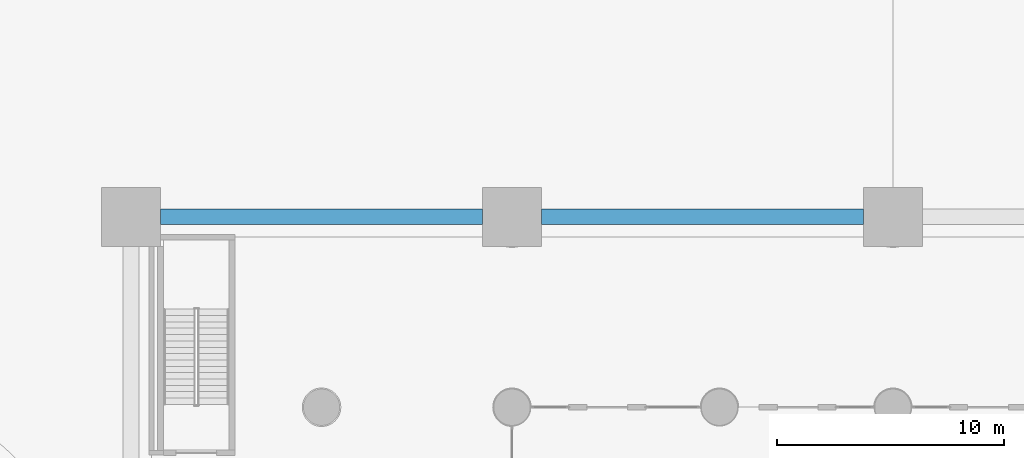
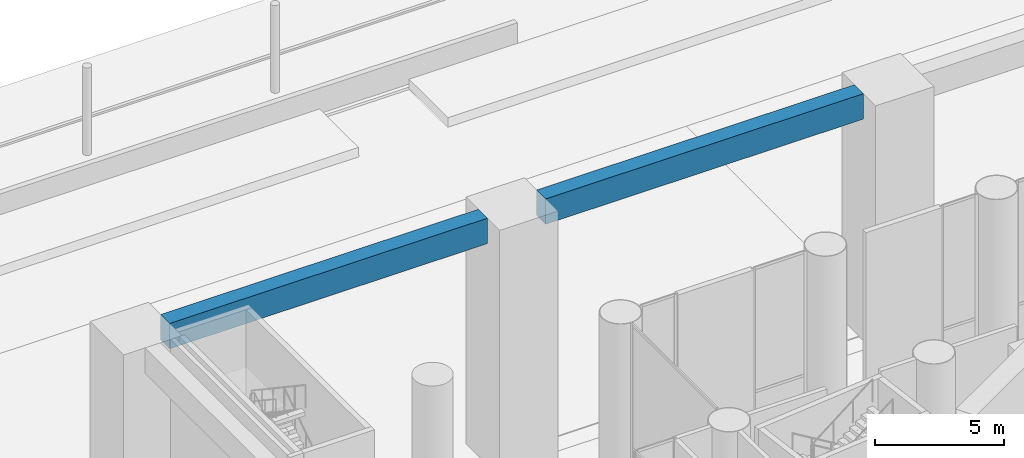
# One storey, part 8 of 52: 2 beams.
"""IFC4 building model written with IfcOpenShell, lengths in metres."""

from ifc_helpers import new_model, si_unit, direction, frame, origin, origin_2d, place, context, subcontext, project, spatial, rectangle, extrude, material, material_profile, profile_set, type_object, element, save


model = new_model("IFC4")

# Units and contexts
model_context = context("Model", 3, precision=1e-05, world=origin(), true_north=direction((0.0, 1.0)))
body_context = subcontext(model_context, "Body", "Model", "MODEL_VIEW")
ifc_project = project(units=[si_unit("LENGTHUNIT", "METRE"), si_unit("AREAUNIT", "SQUARE_METRE"), si_unit("VOLUMEUNIT", "CUBIC_METRE"), si_unit("PLANEANGLEUNIT", "RADIAN"), si_unit("MASSUNIT", "GRAM", prefix="KILO")], contexts=[model_context])

# Site, building, storey
site_placement = place(None, origin())
site = spatial("IfcSite", under=ifc_project, at=site_placement, CompositionType="ELEMENT")
building_placement = place(site_placement, origin())
building = spatial("IfcBuilding", under=site, at=building_placement, Name="Cantera Rosa Tower", CompositionType="ELEMENT")
storey_placement = place(building_placement, origin())
storey = spatial("IfcBuildingStorey", under=building, at=storey_placement, Name="L00", CompositionType="ELEMENT", Elevation=0.0)

# Beams
ifc_material = material(Name="Concrete C50/60", Category="concrete")
ifc_material_profile = material_profile(ifc_material, rectangle(XDim=0.699951171875, YDim=1.199951171875, at=origin_2d()), Name="Edge girder 700x1200")
ifc_profile_set = profile_set([ifc_material_profile], Name="Concrete C50/60")
beam_type = type_object("IfcBeamType", Name="Edge girder 700x1200", PredefinedType="BEAM", material=ifc_profile_set)
for number, where, z_axis, x_axis, name in (
    (1, (-32.300048828125, 29.39990234375, 11.10009765625), (1.0, 0.0, 0.0), (0.0, 1.0, 0.0), "Edge girder L00-05"),
    (2, (-15.5, 29.39990234375, 11.10009765625), (1.0, 0.0, 0.0), (0.0, 1.0, 0.0), "Edge girder L00-07"),
):
    element("IfcBeam", number, at=place(storey_placement, frame(where, z_axis=z_axis, x_axis=x_axis)), inside=storey, type_object=beam_type, Name=name, PredefinedType="BEAM", context=body_context, shape_type="SweptSolid", body=[
        extrude(rectangle(XDim=0.699951171875, YDim=1.199951171875, at=origin_2d()), origin(), (0.0, 0.0, 1.0), 14.199951171875),
    ])

save(model, "model.ifc")
